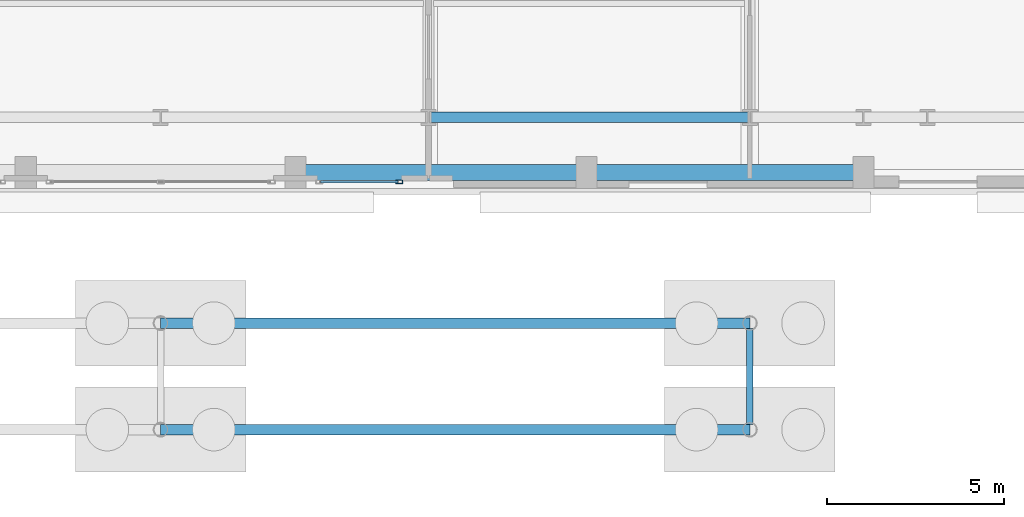
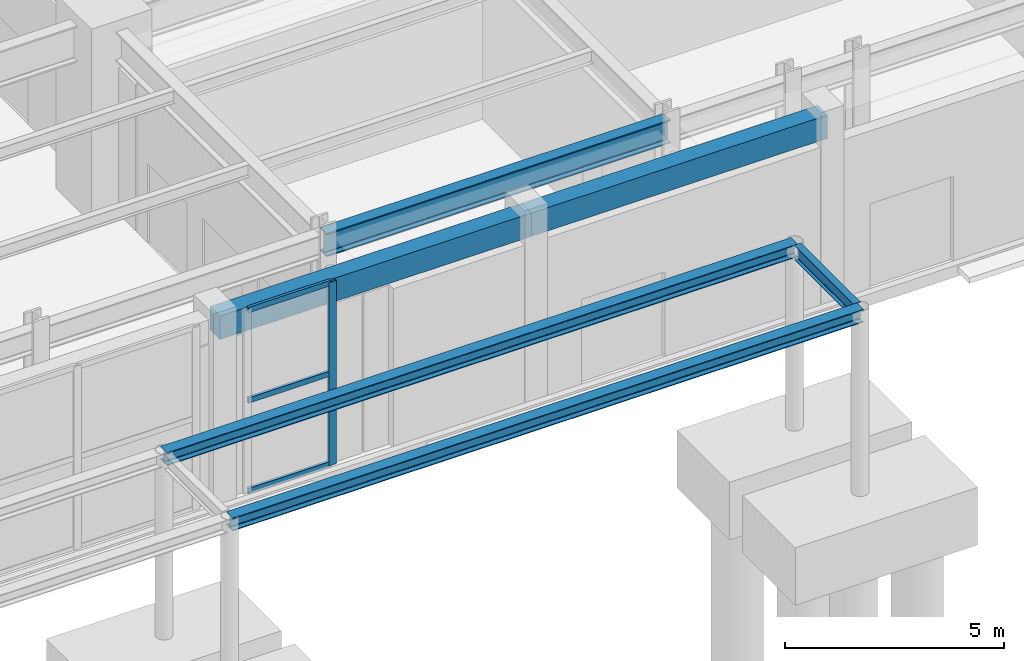
# One storey, part 9 of 21: 6 beams, 4 members, 1 element without a shape of its own.
"""IFC4 building model written with IfcOpenShell, lengths in metres."""

from ifc_helpers import new_model, si_unit, direction, frame, origin, origin_2d, place, context, subcontext, project, spatial, rectangle, hollow_rectangle, i_section, extrude, material, layer, layer_set, material_profile, profile_set, type_object, element, aggregate, save


model = new_model("IFC4")

# Units and contexts
model_context = context("Model", 3, precision=1e-05, world=origin(), true_north=direction((0.0, 1.0)))
body_context = subcontext(model_context, "Body", "Model", "MODEL_VIEW")
ifc_project = project(units=[si_unit("LENGTHUNIT", "METRE"), si_unit("AREAUNIT", "SQUARE_METRE"), si_unit("VOLUMEUNIT", "CUBIC_METRE"), si_unit("PLANEANGLEUNIT", "RADIAN"), si_unit("MASSUNIT", "GRAM", prefix="KILO")], contexts=[model_context])

# Site, building, storey
site_placement = place(None, origin())
site = spatial("IfcSite", under=ifc_project, at=site_placement, CompositionType="ELEMENT")
building_placement = place(site_placement, origin())
building = spatial("IfcBuilding", under=site, at=building_placement, Name="Zarnavel Station Tower", CompositionType="ELEMENT")
storey_placement = place(building_placement, origin())
storey = spatial("IfcBuildingStorey", under=building, at=storey_placement, Name="L01", CompositionType="ELEMENT", Elevation=0.0)

# Curtain wall, members
ifc_material_1 = material(Name="Aluminium Dark Anodised and Solar-Control Glass", Category="aluminium")
ifc_layer = layer(ifc_material_1, 0.179931640625)
ifc_layer_set = layer_set([ifc_layer], Name="CWS1")
curtain_wall_type = type_object("IfcCurtainWallType", Name="CWS1", PredefinedType="NOTDEFINED", material=ifc_layer_set)
curtain_wall_placement = place(storey_placement, origin())
curtain_wall = element("IfcCurtainWall", 1, at=curtain_wall_placement, inside=storey, type_object=curtain_wall_type, Name="L01 Curtain Wall CWS1-L01-S-S3", PredefinedType="NOTDEFINED")
ifc_material_2 = material(Name="Steel S355J2 (Black Fluoropolymer Coated)", Category="steel")
ifc_material_profile_1 = material_profile(ifc_material_2, hollow_rectangle(XDim=0.10009765625, YDim=0.199951171875, WallThickness=0.008056640625, at=origin_2d()), Name="RHS200x100x8")
ifc_profile_set_1 = profile_set([ifc_material_profile_1], Name="Steel S355J2 (Black Fluoropolymer Coated)")
member_type_1 = type_object("IfcMemberType", Name="CWS1_MUL", PredefinedType="MULLION", material=ifc_profile_set_1)
member_1_placement = place(storey_placement, frame((35.52001953125, 3.780029296875, 0.0), z_axis=(0.0, 0.0, 1.0), x_axis=(0.0, 1.0, 0.0)))
member_1 = element("IfcMember", 2, at=member_1_placement, type_object=member_type_1, Name="CW1 mullion 2", PredefinedType="MULLION", context=body_context, shape_type="SweptSolid", body=[
    extrude(hollow_rectangle(XDim=0.10009765625, YDim=0.199951171875, WallThickness=0.008056640625, at=origin_2d()), origin(), (0.0, 0.0, 1.0), 5.10009765625),
])
ifc_material_3 = material(Name="Steel S355J2 (Black Fluoropolymer Coated)", Category="steel")
ifc_material_profile_2 = material_profile(ifc_material_3, hollow_rectangle(XDim=0.074951171875, YDim=0.14990234375, WallThickness=0.00634765625, at=origin_2d()), Name="RHS150x75x6.3")
ifc_profile_set_2 = profile_set([ifc_material_profile_2], Name="Steel S355J2 (Black Fluoropolymer Coated)")
member_type_2 = type_object("IfcMemberType", Name="CWS1_TRN", PredefinedType="USERDEFINED", material=ifc_profile_set_2)
member_2_placement = place(storey_placement, frame((33.303955078125, 3.780029296875, 0.030029296875), z_axis=(1.0, 0.0, 0.0), x_axis=(0.0, 1.0, 0.0)))
member_2 = element("IfcMember", 3, at=member_2_placement, type_object=member_type_2, Name="CW1 transom 1.1", ObjectType="TRANSOM", PredefinedType="USERDEFINED", context=body_context, shape_type="SweptSolid", body=[
    extrude(hollow_rectangle(XDim=0.074951171875, YDim=0.14990234375, WallThickness=0.00634765625, at=origin_2d()), origin(), (0.0, 0.0, 1.0), 2.18603515625),
])
member_3_placement = place(storey_placement, frame((33.303955078125, 3.780029296875, 2.550048828125), z_axis=(1.0, 0.0, 0.0), x_axis=(0.0, 1.0, 0.0)))
member_3 = element("IfcMember", 4, at=member_3_placement, type_object=member_type_2, Name="CW1 transom 1.2", ObjectType="TRANSOM", PredefinedType="USERDEFINED", context=body_context, shape_type="SweptSolid", body=[
    extrude(hollow_rectangle(XDim=0.074951171875, YDim=0.14990234375, WallThickness=0.00634765625, at=origin_2d()), origin(), (0.0, 0.0, 1.0), 2.18603515625),
])
member_4_placement = place(storey_placement, frame((33.303955078125, 3.780029296875, 5.070068359375), z_axis=(1.0, 0.0, 0.0), x_axis=(0.0, 1.0, 0.0)))
member_4 = element("IfcMember", 5, at=member_4_placement, type_object=member_type_2, Name="CW1 transom 1.3", ObjectType="TRANSOM", PredefinedType="USERDEFINED", context=body_context, shape_type="SweptSolid", body=[
    extrude(hollow_rectangle(XDim=0.074951171875, YDim=0.14990234375, WallThickness=0.00634765625, at=origin_2d()), origin(), (0.0, 0.0, 1.0), 2.18603515625),
])
aggregate(curtain_wall, [member_1, member_2, member_3, member_4])

# Beams
ifc_material_4 = material(Name="Steel S355J2", Category="steel")
ifc_material_profile_3 = material_profile(ifc_material_4, i_section(OverallWidth=0.300048828125, OverallDepth=0.360107421875, WebThickness=0.012451171875, FlangeThickness=0.0224609375, FilletRadius=0.027099609375, at=origin_2d()), Name="HEB360")
ifc_profile_set_3 = profile_set([ifc_material_profile_3], Name="Steel S355J2")
beam_type_1 = type_object("IfcBeamType", Name="EB_HEB360", PredefinedType="SPANDREL", material=ifc_profile_set_3)
for number, where, z_axis, x_axis, name in (
    (6, (28.800048828125, -3.199951171875, 4.97998046875), (1.0, 0.0, 0.0), (0.0, 1.0, 0.0), "Station Portal Canopy Girder 1-02"),
    (7, (28.800048828125, -0.199951171875, 4.97998046875), (1.0, 0.0, 0.0), (0.0, 1.0, 0.0), "Station Portal Canopy Girder 2-02"),
):
    element("IfcBeam", number, at=place(storey_placement, frame(where, z_axis=z_axis, x_axis=x_axis)), inside=storey, type_object=beam_type_1, Name=name, PredefinedType="SPANDREL", context=body_context, shape_type="SweptSolid", body=[
        extrude(i_section(OverallWidth=0.300048828125, OverallDepth=0.360107421875, WebThickness=0.012451171875, FlangeThickness=0.0224609375, FilletRadius=0.027099609375, at=origin_2d()), origin(), (0.0, 0.0, 1.0), 16.599853515625),
    ])
ifc_material_5 = material(Name="Steel S355J2", Category="steel")
ifc_material_profile_4 = material_profile(ifc_material_5, i_section(OverallWidth=0.179931640625, OverallDepth=0.39990234375, WebThickness=0.008544921875, FlangeThickness=0.013427734375, FilletRadius=0.02099609375, at=origin_2d()), Name="IPE400")
ifc_profile_set_4 = profile_set([ifc_material_profile_4], Name="Steel S355J2")
beam_type_2 = type_object("IfcBeamType", Name="FB_IPE400", PredefinedType="BEAM", material=ifc_profile_set_4)
beam_1_placement = place(storey_placement, frame((45.39990234375, -3.054931640625, 4.9599609375), z_axis=(0.0, 1.0, 0.0), x_axis=(-1.0, 0.0, 0.0)))
element("IfcBeam", 8, at=beam_1_placement, inside=storey, type_object=beam_type_2, Name="Station Portal Tie Beam 03", PredefinedType="BEAM", context=body_context, shape_type="SweptSolid", body=[
    extrude(i_section(OverallWidth=0.179931640625, OverallDepth=0.39990234375, WebThickness=0.008544921875, FlangeThickness=0.013427734375, FilletRadius=0.02099609375, at=origin_2d()), origin(), (0.0, 0.0, 1.0), 2.7099609375),
])
ifc_material_6 = material(Name="Steel S355J2", Category="steel")
ifc_material_profile_5 = material_profile(ifc_material_6, i_section(OverallWidth=0.300048828125, OverallDepth=0.64990234375, WebThickness=0.01611328125, FlangeThickness=0.031005859375, FilletRadius=0.027099609375, at=origin_2d()), Name="HEB650")
ifc_profile_set_5 = profile_set([ifc_material_profile_5], Name="Steel S355J2")
beam_type_3 = type_object("IfcBeamType", Name="FG_HEB650", PredefinedType="USERDEFINED", material=ifc_profile_set_5)
beam_2_placement = place(storey_placement, frame((36.35009765625, 5.60009765625, 4.77490234375), z_axis=(1.0, 0.0, 0.0), x_axis=(0.0, 1.0, 0.0)))
element("IfcBeam", 9, at=beam_2_placement, inside=storey, type_object=beam_type_3, Name="L01 EW Frame Girder 1-7", ObjectType="GIRDER", PredefinedType="USERDEFINED", context=body_context, shape_type="SweptSolid", body=[
    extrude(i_section(OverallWidth=0.300048828125, OverallDepth=0.64990234375, WebThickness=0.01611328125, FlangeThickness=0.031005859375, FilletRadius=0.027099609375, at=origin_2d()), origin(), (0.0, 0.0, 1.0), 9.0498046875),
])
ifc_material_7 = material(Name="Precast concrete C45/55", Category="concrete")
ifc_material_profile_6 = material_profile(ifc_material_7, rectangle(XDim=0.449951171875, YDim=0.64990234375, at=origin_2d()), Name="RC450x650")
ifc_profile_set_6 = profile_set([ifc_material_profile_6], Name="Precast concrete C45/55")
beam_type_4 = type_object("IfcBeamType", Name="LN_RC450x650", PredefinedType="LINTEL", material=ifc_profile_set_6)
beam_3_placement = place(storey_placement, frame((32.60009765625, 4.050048828125, 4.77490234375), z_axis=(1.0, 0.0, 0.0), x_axis=(0.0, 1.0, 0.0)))
element("IfcBeam", 10, at=beam_3_placement, inside=storey, type_object=beam_type_4, Name="L01 Portal Arcade Lintel 4", PredefinedType="LINTEL", context=body_context, shape_type="SweptSolid", body=[
    extrude(rectangle(XDim=0.449951171875, YDim=0.64990234375, at=origin_2d()), origin(), (0.0, 0.0, 1.0), 8.199951171875),
])
beam_4_placement = place(storey_placement, frame((40.800048828125, 4.050048828125, 4.77490234375), z_axis=(1.0, 0.0, 0.0), x_axis=(0.0, 1.0, 0.0)))
element("IfcBeam", 11, at=beam_4_placement, inside=storey, type_object=beam_type_4, Name="L01 Portal Arcade Lintel 5", PredefinedType="LINTEL", context=body_context, shape_type="SweptSolid", body=[
    extrude(rectangle(XDim=0.449951171875, YDim=0.64990234375, at=origin_2d()), origin(), (0.0, 0.0, 1.0), 7.800048828125),
])

save(model, "model.ifc")
